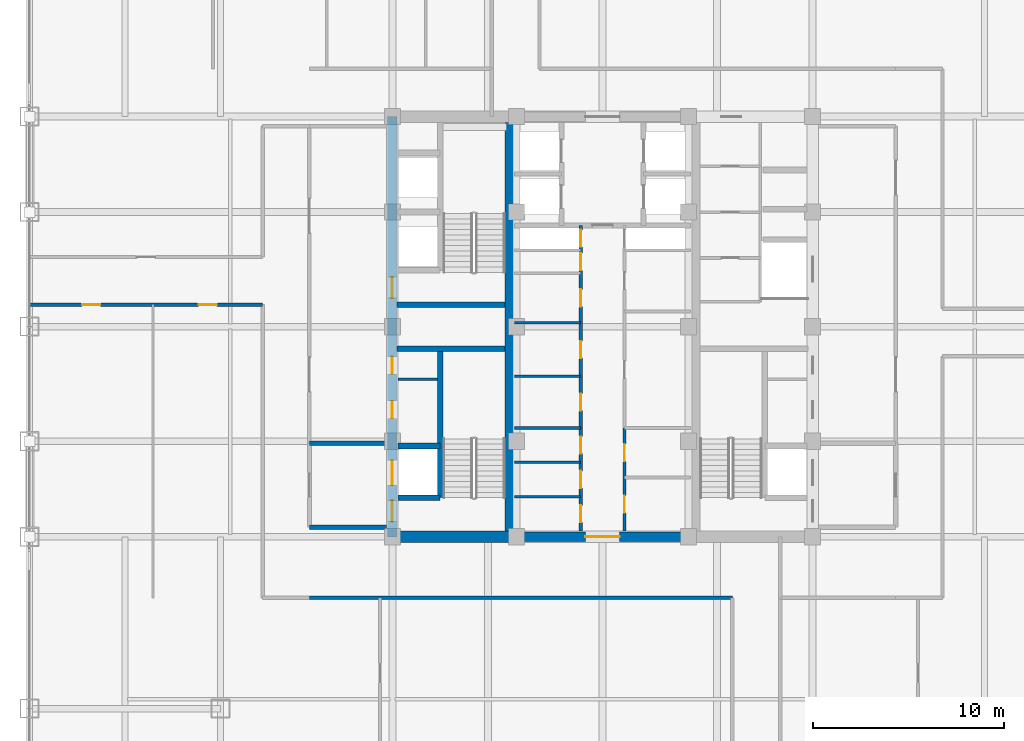
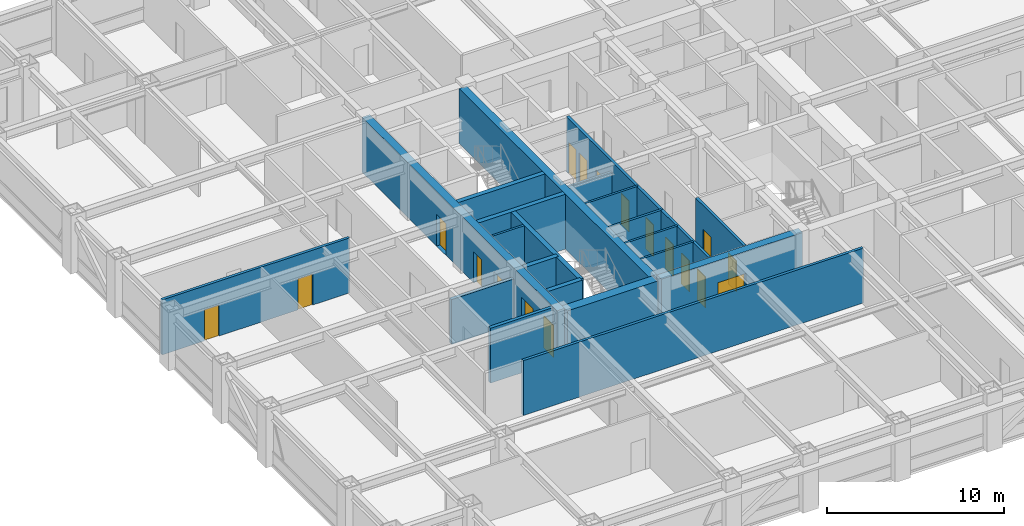
# One storey, part 20 of 29: 22 walls, 18 doors, 18 openings.
"""IFC4 building model written with IfcOpenShell, lengths in metres."""

import ifcopenshell
import ifcopenshell.guid

model = None  # the IFC model being written
_history = None  # IfcOwnerHistory: only IFC2X3 demands one
_inside = {}  # id of a spatial element -> (the spatial element, [elements in it])
_under = {}  # id of a project, library or spatial element -> (it, [spatial elements below it])
_declared = {}  # id of a project -> (the project, [libraries it declares])
_typed = {}  # id of a type object -> (the type object, [elements of that type])
_made_of = {}  # id of a material, layer set ... -> (it, [elements and type objects made of it])


def new_model(schema):
    """Start an empty IFC model of exactly this schema.

    Asked for "IFC4X3", IfcOpenShell would pick the latest addendum, in which some entities
    have other attributes; the version numbers below select the first issue.
    IFC2X3 requires an IfcOwnerHistory on every rooted entity: one is made here for all.
    """
    global model, _history
    if schema == "IFC4X3":
        model = ifcopenshell.file(schema_version=(4, 3, 0, 0))
    else:
        model = ifcopenshell.file(schema=schema)
    _inside.clear()
    _under.clear()
    _declared.clear()
    _typed.clear()
    _made_of.clear()
    _history = None
    if model.schema == "IFC2X3":
        org = make("IfcOrganization", Name="unknown")
        user = make(
            "IfcPersonAndOrganization",
            ThePerson=make("IfcPerson", FamilyName="unknown"),
            TheOrganization=org,
        )
        app = make(
            "IfcApplication",
            ApplicationDeveloper=org,
            Version="unknown",
            ApplicationFullName="unknown",
            ApplicationIdentifier="unknown",
        )
        _history = make(
            "IfcOwnerHistory",
            OwningUser=user,
            OwningApplication=app,
            ChangeAction="ADDED",
            CreationDate=0,
        )
    return model


def make(cls, **values):
    """One entity of the class cls with the attributes given. An attribute that is None is left unset."""
    return model.create_entity(
        cls, **{name: value for name, value in values.items() if value is not None}
    )


def rooted(cls, **values):
    """An entity with a GlobalId (a new one), such as an element, a storey or a relation."""
    return make(cls, GlobalId=ifcopenshell.guid.new(), OwnerHistory=_history, **values)


def si_unit(unit_type, name, prefix=None):
    """IfcSIUnit, for example si_unit("LENGTHUNIT", "METRE", prefix="MILLI")."""
    return make("IfcSIUnit", UnitType=unit_type, Prefix=prefix, Name=name)


def assignment(units):
    """IfcUnitAssignment: the units of a project."""
    return None if units is None else make("IfcUnitAssignment", Units=units)


def point(xyz):
    """IfcCartesianPoint."""
    return None if xyz is None else make("IfcCartesianPoint", Coordinates=xyz)


def direction(xyz):
    """IfcDirection."""
    return None if xyz is None else make("IfcDirection", DirectionRatios=xyz)


def frame(location, z_axis=None, x_axis=None):
    """IfcAxis2Placement3D, a coordinate frame: its origin and axes. An axis left out is left unset."""
    return make(
        "IfcAxis2Placement3D",
        Location=point(location),
        Axis=direction(z_axis),
        RefDirection=direction(x_axis),
    )


def frame_2d(location, x_axis=None):
    """IfcAxis2Placement2D, a coordinate frame in the plane: its origin and x axis."""
    return make(
        "IfcAxis2Placement2D", Location=point(location), RefDirection=direction(x_axis)
    )


def origin():
    """The frame at (0, 0, 0) with its axes left unset."""
    return frame((0.0, 0.0, 0.0))


def place(relative_to, where):
    """IfcLocalPlacement: puts the frame where relative to a parent placement (None: the world)."""
    return make(
        "IfcLocalPlacement", PlacementRelTo=relative_to, RelativePlacement=where
    )


def context(
    kind, dimensions, precision=None, world=None, true_north=None, identifier=None
):
    """IfcGeometricRepresentationContext, for example the 3D "Model" context."""
    return make(
        "IfcGeometricRepresentationContext",
        ContextIdentifier=identifier,
        ContextType=kind,
        CoordinateSpaceDimension=dimensions,
        Precision=precision,
        WorldCoordinateSystem=world,
        TrueNorth=true_north,
    )


def subcontext(parent, identifier, kind, view, scale=None):
    """IfcGeometricRepresentationSubContext, for example "Body" below "Model"."""
    return make(
        "IfcGeometricRepresentationSubContext",
        ContextIdentifier=identifier,
        ContextType=kind,
        ParentContext=parent,
        TargetScale=scale,
        TargetView=view,
    )


def project(units=None, contexts=None):
    """IfcProject with its units and contexts."""
    return rooted(
        "IfcProject",
        Name="project",
        RepresentationContexts=contexts,
        UnitsInContext=assignment(units),
    )


def spatial(cls, under=None, at=None, **own):
    """A site, building, storey or space (cls), placed at a placement, below another one or the project."""
    s = rooted(cls, ObjectPlacement=at, **own)
    if under is not None:
        _under.setdefault(under.id(), (under, []))[1].append(s)
    return s


def profile(cls, at=None, kind="AREA", **sizes):
    """A parametric profile (cls). Its sizes go by their IFC names, for example OverallWidth=200.0."""
    return make(cls, ProfileType=kind, Position=at, **sizes)


def rectangle(**sizes):
    """IfcRectangleProfileDef."""
    return profile("IfcRectangleProfileDef", **sizes)


def extrude(swept, where, along, depth):
    """IfcExtrudedAreaSolid: the profile swept, set in the frame where, extruded along a direction by depth."""
    return make(
        "IfcExtrudedAreaSolid",
        SweptArea=swept,
        Position=where,
        ExtrudedDirection=direction(along),
        Depth=depth,
    )


def shape(context_of_items, identifier, shape_type, items):
    """IfcShapeRepresentation: the items that make up one representation, for example the "Body"."""
    return make(
        "IfcShapeRepresentation",
        ContextOfItems=context_of_items,
        RepresentationIdentifier=identifier,
        RepresentationType=shape_type,
        Items=items,
    )


def source(mapping_origin, context_of_items, identifier, shape_type, items):
    """IfcRepresentationMap: a shape defined once, which mapped items show again and again."""
    return make(
        "IfcRepresentationMap",
        MappingOrigin=mapping_origin,
        MappedRepresentation=shape(context_of_items, identifier, shape_type, items),
    )


def transform(
    local_origin,
    x_axis=None,
    y_axis=None,
    z_axis=None,
    scale=None,
    scale2=None,
    scale3=None,
    uniform=True,
):
    """IfcCartesianTransformationOperator3D, or its non-uniform kind. x_axis, y_axis, z_axis: its Axis1, 2, 3."""
    if uniform:
        return make(
            "IfcCartesianTransformationOperator3D",
            Axis1=direction(x_axis),
            Axis2=direction(y_axis),
            LocalOrigin=point(local_origin),
            Scale=scale,
            Axis3=direction(z_axis),
        )
    return make(
        "IfcCartesianTransformationOperator3DnonUniform",
        Axis1=direction(x_axis),
        Axis2=direction(y_axis),
        LocalOrigin=point(local_origin),
        Scale=scale,
        Axis3=direction(z_axis),
        Scale2=scale2,
        Scale3=scale3,
    )


def mapped(mapping_source, mapping_target):
    """IfcMappedItem: shows the shape of a source again, moved by a transform."""
    return make(
        "IfcMappedItem", MappingSource=mapping_source, MappingTarget=mapping_target
    )


def material(Name=None, Category=None):
    """IfcMaterial."""
    return make("IfcMaterial", Name=Name, Category=Category)


def layer(
    of_material, thickness, ventilated=None, Name=None, Category=None, Priority=None
):
    """IfcMaterialLayer: one layer of a wall or slab, of a material (None: an air gap)."""
    return make(
        "IfcMaterialLayer",
        Material=of_material,
        LayerThickness=thickness,
        IsVentilated=ventilated,
        Name=Name,
        Category=Category,
        Priority=Priority,
    )


def layer_set(layers, Name=None):
    """IfcMaterialLayerSet."""
    return make("IfcMaterialLayerSet", MaterialLayers=layers, LayerSetName=Name)


def made_of(thing, what):
    """Note that an element or type object is made of a material, layer set ...; save() writes the relation."""
    if what is not None:
        _made_of.setdefault(what.id(), (what, []))[1].append(thing)
    return thing


def type_object(cls, material=None, **own):
    """A type object (cls), such as IfcWallType, which elements share."""
    return made_of(rooted(cls, **own), material)


def element(
    cls,
    number,
    at=None,
    inside=None,
    cuts=None,
    type_object=None,
    material=None,
    context=None,
    identifier="Body",
    shape_type=None,
    held_by="IfcProductDefinitionShape",
    body=None,
    shapes=None,
    **own,
):
    """One element of the class cls, such as IfcWall. Its Tag is "e" and its number.

    at: its placement. inside: the storey or other place that contains it. cuts: it is an
    opening in that element (IfcRelVoidsElement). A single representation is given by context,
    identifier, shape_type and body (its items); several are given by shapes. held_by: the class
    of the entity that holds the representations. save() writes the other relations.
    """
    e = rooted(cls, Tag="e%d" % number, ObjectPlacement=at, **own)
    if body is not None:
        shapes = [shape(context, identifier, shape_type, body)]
    if shapes is not None:
        e.Representation = make(held_by, Representations=shapes)
    if inside is not None:
        _inside.setdefault(inside.id(), (inside, []))[1].append(e)
    if cuts is not None:
        rooted(
            "IfcRelVoidsElement", RelatingBuildingElement=cuts, RelatedOpeningElement=e
        )
    if type_object is not None:
        _typed.setdefault(type_object.id(), (type_object, []))[1].append(e)
    return made_of(e, material)


def fill(opening, filler):
    """IfcRelFillsElement: the door or window that sits in an opening."""
    return rooted(
        "IfcRelFillsElement",
        RelatingOpeningElement=opening,
        RelatedBuildingElement=filler,
    )


def aggregate(whole, parts):
    """IfcRelAggregates: a whole, such as a stair, and the parts it consists of."""
    return rooted("IfcRelAggregates", RelatingObject=whole, RelatedObjects=parts)


def save(model, path):
    """Write the relations noted so far, then the file.

    IfcRelAggregates (storeys below a building ...), IfcRelContainedInSpatialStructure (elements
    in a storey), IfcRelDefinesByType, IfcRelAssociatesMaterial and IfcRelDeclares: one each for
    every whole, place, type object, material and project.
    """
    for whole, parts in _under.values():
        aggregate(whole, parts)
    for where, things in _inside.values():
        rooted(
            "IfcRelContainedInSpatialStructure",
            RelatedElements=things,
            RelatingStructure=where,
        )
    for kind, things in _typed.values():
        rooted("IfcRelDefinesByType", RelatedObjects=things, RelatingType=kind)
    for what, things in _made_of.values():
        rooted("IfcRelAssociatesMaterial", RelatedObjects=things, RelatingMaterial=what)
    for by, libraries in _declared.values():
        rooted("IfcRelDeclares", RelatingContext=by, RelatedDefinitions=libraries)
    model.write(path)


model = new_model("IFC4")

# Units and contexts
model_context = context("Model", 3, precision=1e-05, world=origin(), true_north=direction((0.0, 1.0)))
body_context = subcontext(model_context, "Body", "Model", "MODEL_VIEW")
ifc_project = project(units=[si_unit("LENGTHUNIT", "METRE"), si_unit("AREAUNIT", "SQUARE_METRE"), si_unit("VOLUMEUNIT", "CUBIC_METRE"), si_unit("PLANEANGLEUNIT", "RADIAN"), si_unit("MASSUNIT", "GRAM", prefix="KILO")], contexts=[model_context])

# Site, building, storey
site_placement = place(None, origin())
site = spatial("IfcSite", under=ifc_project, at=site_placement, CompositionType="ELEMENT")
building_placement = place(site_placement, origin())
building = spatial("IfcBuilding", under=site, at=building_placement, Name="Khorayat Bourse Tower", CompositionType="ELEMENT")
storey_placement = place(building_placement, frame((0.0, 0.0, 239.10009765625)))
storey = spatial("IfcBuildingStorey", under=building, at=storey_placement, Name="L56", CompositionType="ELEMENT", Elevation=239.10009765625)

# Wall
ifc_material_1 = material(Name="Concrete C52/65", Category="concrete")
ifc_layer_1 = layer(ifc_material_1, 0.5)
ifc_layer_set_1 = layer_set([ifc_layer_1], Name="Concrete C52/65")
wall_type_1 = type_object("IfcWallType", Name="WAL-CORE-500", PredefinedType="SHEAR", material=ifc_layer_set_1)
shared_shape_1 = source(origin(), body_context, "Body", "SweptSolid", [
    extrude(rectangle(XDim=21.39990234375, YDim=0.5, at=frame_2d((10.699951171875, 0.0))), origin(), (0.0, 0.0, 1.0), 3.77978515625),
])
wall_1_placement = place(storey_placement, frame((-4.85009765625, -10.699951171875, 0.0), z_axis=(0.0, 0.0, 1.0), x_axis=(0.0, 1.0, 0.0)))
element("IfcWall", 1, at=wall_1_placement, inside=storey, type_object=wall_type_1, Name="L56 Core Shear Wall PIER-W", PredefinedType="SHEAR", context=body_context, shape_type="MappedRepresentation", body=[
    mapped(shared_shape_1, transform((0.0, 0.0, 0.0), scale=1.0)),
])

# Wall, opening, door
shared_shape_2 = source(origin(), body_context, "Body", "SweptSolid", [
    extrude(rectangle(XDim=9.2001953125, YDim=0.5, at=frame_2d((4.60009765625, 0.0))), origin(), (0.0, 0.0, 1.0), 3.77978515625),
])
wall_2_placement = place(storey_placement, frame((-4.60009765625, -11.0, 0.0), z_axis=(0.0, 0.0, 1.0), x_axis=(1.0, 0.0, 0.0)))
wall_2 = element("IfcWall", 2, at=wall_2_placement, inside=storey, type_object=wall_type_1, Name="L56 Core Shear Wall CORE-S", PredefinedType="SHEAR", context=body_context, shape_type="MappedRepresentation", body=[
    mapped(shared_shape_2, transform((0.0, 0.0, 0.0), scale=1.0)),
])
shared_shape_3 = source(origin(), body_context, "Body", "SweptSolid", [
    extrude(rectangle(XDim=1.800048828125, YDim=2.25, at=frame_2d((0.89990234375, 1.125))), frame((0.0, 0.260009765625, 0.0), z_axis=(0.0, -1.0, 0.0), x_axis=(1.0, 0.0, 0.0)), (0.0, 0.0, 1.0), 0.52001953125),
])
opening_1_placement = place(wall_2_placement, frame((3.699951171875, 0.0, 0.0)))
opening_1 = element("IfcOpeningElement", 3, at=opening_1_placement, cuts=wall_2, Name="Opening DI-03", PredefinedType="OPENING", context=body_context, shape_type="MappedRepresentation", body=[
    mapped(shared_shape_3, transform((0.0, 0.0, 0.0), scale=1.0)),
])
ifc_material_2 = material(Name="Fire-rated hardwood vision-panel double leaf", Category="wood")
door_type_1 = type_object("IfcDoorType", Name="DR-INT-CORR-1800", OperationType="NOTDEFINED", PredefinedType="DOOR", material=ifc_material_2)
shared_shape_4 = source(origin(), body_context, "Body", "SweptSolid", [
    extrude(rectangle(XDim=1.800048828125, YDim=2.25, at=frame_2d((0.89990234375, 1.125))), frame((0.0, 0.02490234375, 0.0), z_axis=(0.0, -1.0, 0.0), x_axis=(1.0, 0.0, 0.0)), (0.0, 0.0, 1.0), 0.050048828125),
])
door_1_placement = place(opening_1_placement, origin())
door_1 = element("IfcDoor", 4, at=door_1_placement, inside=storey, type_object=door_type_1, Name="L56 Central Core South Passage Door", OperationType="SINGLE_SWING_LEFT", OverallHeight=2.25, OverallWidth=1.800048828125, PredefinedType="DOOR", context=body_context, shape_type="MappedRepresentation", body=[
    mapped(shared_shape_4, transform((0.0, 0.0, 0.0), scale=1.0)),
])
fill(opening_1, door_1)

# Wall, openings, doors
shared_shape_5 = source(origin(), body_context, "Body", "SweptSolid", [
    extrude(rectangle(XDim=22.0, YDim=0.5, at=frame_2d((11.0, 0.0))), origin(), (0.0, 0.0, 1.0), 3.77978515625),
])
wall_3_placement = place(storey_placement, frame((-11.0, -11.0, 0.0), z_axis=(0.0, 0.0, 1.0), x_axis=(0.0, 1.0, 0.0)))
wall_3 = element("IfcWall", 5, at=wall_3_placement, inside=storey, type_object=wall_type_1, Name="L56 Core Shear Wall CORE-W", PredefinedType="SHEAR", context=body_context, shape_type="MappedRepresentation", body=[
    mapped(shared_shape_5, transform((0.0, 0.0, 0.0), scale=1.0)),
])
shared_shape_6 = source(origin(), body_context, "Body", "SweptSolid", [
    extrude(rectangle(XDim=1.10009765625, YDim=2.199951171875, at=frame_2d((0.550048828125, 1.10009765625))), frame((0.0, 0.260009765625, 0.0), z_axis=(0.0, -1.0, 0.0), x_axis=(1.0, 0.0, 0.0)), (0.0, 0.0, 1.0), 0.52001953125),
])
opening_2_placement = place(wall_3_placement, frame((0.800048828125, 0.0, 0.0)))
opening_2 = element("IfcOpeningElement", 6, at=opening_2_placement, cuts=wall_3, Name="Opening DI-01", PredefinedType="OPENING", context=body_context, shape_type="MappedRepresentation", body=[
    mapped(shared_shape_6, transform((0.0, 0.0, 0.0), scale=1.0)),
])
opening_3_placement = place(wall_3_placement, frame((12.5, 0.0, 0.0)))
opening_3 = element("IfcOpeningElement", 7, at=opening_3_placement, cuts=wall_3, Name="Opening DI-01", PredefinedType="OPENING", context=body_context, shape_type="MappedRepresentation", body=[
    mapped(shared_shape_6, transform((0.0, 0.0, 0.0), scale=1.0)),
])
shared_shape_7 = source(origin(), body_context, "Body", "SweptSolid", [
    extrude(rectangle(XDim=0.89990234375, YDim=2.14990234375, at=frame_2d((0.449951171875, 1.074951171875))), frame((0.0, 0.260009765625, 0.0), z_axis=(0.0, -1.0, 0.0), x_axis=(1.0, 0.0, 0.0)), (0.0, 0.0, 1.0), 0.52001953125),
])
opening_4_placement = place(wall_3_placement, frame((6.199951171875, 0.0, 0.0)))
opening_4 = element("IfcOpeningElement", 8, at=opening_4_placement, cuts=wall_3, Name="Opening DI-06", PredefinedType="OPENING", context=body_context, shape_type="MappedRepresentation", body=[
    mapped(shared_shape_7, transform((0.0, 0.0, 0.0), scale=1.0)),
])
opening_5_placement = place(wall_3_placement, frame((8.52490234375, 0.0, 0.0)))
opening_5 = element("IfcOpeningElement", 9, at=opening_5_placement, cuts=wall_3, Name="Opening DI-06", PredefinedType="OPENING", context=body_context, shape_type="MappedRepresentation", body=[
    mapped(shared_shape_7, transform((0.0, 0.0, 0.0), scale=1.0)),
])
shared_shape_8 = source(origin(), body_context, "Body", "SweptSolid", [
    extrude(rectangle(XDim=1.300048828125, YDim=2.300048828125, at=frame_2d((0.64990234375, 1.14990234375))), frame((0.0, 0.260009765625, 0.0), z_axis=(0.0, -1.0, 0.0), x_axis=(1.0, 0.0, 0.0)), (0.0, 0.0, 1.0), 0.52001953125),
])
opening_6_placement = place(wall_3_placement, frame((2.699951171875, 0.0, 0.0)))
opening_6 = element("IfcOpeningElement", 10, at=opening_6_placement, cuts=wall_3, Name="Opening LD-02", PredefinedType="OPENING", context=body_context, shape_type="MappedRepresentation", body=[
    mapped(shared_shape_8, transform((0.0, 0.0, 0.0), scale=1.0)),
])
ifc_material_3 = material(Name="Fire-rated steel acoustic leaf", Category="steel")
door_type_2 = type_object("IfcDoorType", Name="DR-INT-STAIR-1100", OperationType="NOTDEFINED", PredefinedType="DOOR", material=ifc_material_3)
shared_shape_9 = source(origin(), body_context, "Body", "SweptSolid", [
    extrude(rectangle(XDim=1.10009765625, YDim=2.199951171875, at=frame_2d((0.550048828125, 1.10009765625))), frame((0.0, 0.02490234375, 0.0), z_axis=(0.0, -1.0, 0.0), x_axis=(1.0, 0.0, 0.0)), (0.0, 0.0, 1.0), 0.050048828125),
])
door_2_placement = place(opening_2_placement, origin())
door_2 = element("IfcDoor", 11, at=door_2_placement, inside=storey, type_object=door_type_2, Name="L56 Exit Stair 1 Door", OperationType="SINGLE_SWING_RIGHT", OverallHeight=2.199951171875, OverallWidth=1.10009765625, PredefinedType="DOOR", context=body_context, shape_type="MappedRepresentation", body=[
    mapped(shared_shape_9, transform((0.0, 0.0, 0.0), scale=1.0)),
])
fill(opening_2, door_2)
door_3_placement = place(opening_3_placement, origin())
door_3 = element("IfcDoor", 12, at=door_3_placement, inside=storey, type_object=door_type_2, Name="L56 Exit Stair 2 Door", OperationType="SINGLE_SWING_RIGHT", OverallHeight=2.199951171875, OverallWidth=1.10009765625, PredefinedType="DOOR", context=body_context, shape_type="MappedRepresentation", body=[
    mapped(shared_shape_9, transform((0.0, 0.0, 0.0), scale=1.0)),
])
fill(opening_3, door_3)
ifc_material_4 = material(Name="Moisture-resistant laminate washroom door")
door_type_3 = type_object("IfcDoorType", Name="DR-INT-WC-900", OperationType="NOTDEFINED", PredefinedType="DOOR", material=ifc_material_4)
shared_shape_10 = source(origin(), body_context, "Body", "SweptSolid", [
    extrude(rectangle(XDim=0.89990234375, YDim=2.14990234375, at=frame_2d((0.449951171875, 1.074951171875))), frame((0.0, 0.02490234375, 0.0), z_axis=(0.0, -1.0, 0.0), x_axis=(1.0, 0.0, 0.0)), (0.0, 0.0, 1.0), 0.050048828125),
])
door_4_placement = place(opening_4_placement, origin())
door_4 = element("IfcDoor", 13, at=door_4_placement, inside=storey, type_object=door_type_3, Name="L56 Switch Closet Door", OperationType="SINGLE_SWING_RIGHT", OverallHeight=2.14990234375, OverallWidth=0.89990234375, PredefinedType="DOOR", context=body_context, shape_type="MappedRepresentation", body=[
    mapped(shared_shape_10, transform((0.0, 0.0, 0.0), scale=1.0)),
])
fill(opening_4, door_4)
door_5_placement = place(opening_5_placement, origin())
door_5 = element("IfcDoor", 14, at=door_5_placement, inside=storey, type_object=door_type_3, Name="L56 Janitor Store Door", OperationType="SINGLE_SWING_LEFT", OverallHeight=2.14990234375, OverallWidth=0.89990234375, PredefinedType="DOOR", context=body_context, shape_type="MappedRepresentation", body=[
    mapped(shared_shape_10, transform((0.0, 0.0, 0.0), scale=1.0)),
])
fill(opening_5, door_5)
ifc_material_5 = material(Name="Fire-rated stainless-steel sliding landing door", Category="steel")
door_type_4 = type_object("IfcDoorType", Name="DR-LIFT-FF-1300", OperationType="NOTDEFINED", PredefinedType="DOOR", material=ifc_material_5)
shared_shape_11 = source(origin(), body_context, "Body", "SweptSolid", [
    extrude(rectangle(XDim=1.300048828125, YDim=2.300048828125, at=frame_2d((0.64990234375, 1.14990234375))), frame((0.0, 0.02490234375, 0.0), z_axis=(0.0, -1.0, 0.0), x_axis=(1.0, 0.0, 0.0)), (0.0, 0.0, 1.0), 0.050048828125),
])
door_6_placement = place(opening_6_placement, origin())
door_6 = element("IfcDoor", 15, at=door_6_placement, inside=storey, type_object=door_type_4, Name="L56 Lift FFL-01 Sliding Landing Door", OperationType="SLIDING_TO_LEFT", OverallHeight=2.300048828125, OverallWidth=1.300048828125, PredefinedType="DOOR", context=body_context, shape_type="MappedRepresentation", body=[
    mapped(shared_shape_11, transform((0.0, 0.0, 0.0), scale=1.0)),
])
fill(opening_6, door_6)

# Walls
ifc_material_6 = material(Name="Concrete C60/75", Category="concrete")
ifc_layer_2 = layer(ifc_material_6, 0.60009765625)
ifc_layer_set_2 = layer_set([ifc_layer_2], Name="Concrete C60/75")
wall_type_2 = type_object("IfcWallType", Name="WAL-CORE-600", PredefinedType="SHEAR", material=ifc_layer_set_2)
shared_shape_12 = source(origin(), body_context, "Body", "SweptSolid", [
    extrude(rectangle(XDim=5.89990234375, YDim=0.60009765625, at=frame_2d((2.949951171875, 0.0))), origin(), (0.0, 0.0, 1.0), 3.77978515625),
])
wall_4_placement = place(storey_placement, frame((-10.75, -11.0, 0.0), z_axis=(0.0, 0.0, 1.0), x_axis=(1.0, 0.0, 0.0)))
element("IfcWall", 16, at=wall_4_placement, inside=storey, type_object=wall_type_2, Name="L56 Core Shear Wall PIER-WS", PredefinedType="SHEAR", context=body_context, shape_type="MappedRepresentation", body=[
    mapped(shared_shape_12, transform((0.0, 0.0, 0.0), scale=1.0)),
])
ifc_material_7 = material(Name="Concrete C50/60", Category="concrete")
ifc_layer_3 = layer(ifc_material_7, 0.300048828125)
ifc_layer_set_3 = layer_set([ifc_layer_3], Name="Concrete C50/60")
wall_type_3 = type_object("IfcWallType", Name="WAL-SHAFT-300", PredefinedType="SHEAR", material=ifc_layer_set_3)
shared_shape_13 = source(origin(), body_context, "Body", "SweptSolid", [
    extrude(rectangle(XDim=5.64990234375, YDim=0.300048828125, at=frame_2d((2.824951171875, 0.0))), origin(), (0.0, 0.0, 1.0), 3.77978515625),
])
for number, where, z_axis, x_axis, name in (
    (17, (-10.75, -1.14990234375, 0.0), (0.0, 0.0, 1.0), (1.0, 0.0, 0.0), "L56 Core Shear Wall ST1-DIV"),
    (18, (-10.75, 1.14990234375, 0.0), (0.0, 0.0, 1.0), (1.0, 0.0, 0.0), "L56 Core Shear Wall ST2-DIV"),
):
    element("IfcWall", number, at=place(storey_placement, frame(where, z_axis=z_axis, x_axis=x_axis)), inside=storey, type_object=wall_type_3, Name=name, PredefinedType="SHEAR", context=body_context, shape_type="MappedRepresentation", body=[
        mapped(shared_shape_13, transform((0.0, 0.0, 0.0), scale=1.0)),
    ])
ifc_material_8 = material(Name="Aerated concrete blockwork", Category="masonry")
ifc_layer_4 = layer(ifc_material_8, 0.219970703125)
ifc_layer_set_4 = layer_set([ifc_layer_4], Name="Aerated concrete blockwork")
wall_type_4 = type_object("IfcWallType", Name="WAL-PART-FF-220", PredefinedType="PARTITIONING", material=ifc_layer_set_4)
shared_shape_14 = source(origin(), body_context, "Body", "SweptSolid", [
    extrude(rectangle(XDim=4.050048828125, YDim=0.219970703125, at=frame_2d((2.02490234375, 0.0))), origin(), (0.0, 0.0, 1.0), 3.0849609375),
])
wall_5_placement = place(storey_placement, frame((-15.35009765625, -6.10009765625, 0.0), z_axis=(0.0, 0.0, 1.0), x_axis=(1.0, 0.0, 0.0)))
element("IfcWall", 19, at=wall_5_placement, inside=storey, type_object=wall_type_4, Name="L56 Partition WAL-L56-FFLW-N", PredefinedType="PARTITIONING", context=body_context, shape_type="MappedRepresentation", body=[
    mapped(shared_shape_14, transform((0.0, 0.0, 0.0), scale=1.0)),
])
shared_shape_15 = source(origin(), body_context, "Body", "SweptSolid", [
    extrude(rectangle(XDim=7.800048828125, YDim=0.300048828125, at=frame_2d((3.89990234375, 0.0))), origin(), (0.0, 0.0, 1.0), 3.77978515625),
])
wall_6_placement = place(storey_placement, frame((-8.5, -8.949951171875, 0.0), z_axis=(0.0, 0.0, 1.0), x_axis=(0.0, 1.0, 0.0)))
element("IfcWall", 20, at=wall_6_placement, inside=storey, type_object=wall_type_3, Name="L56 Partition WAL-L56-WPIER-SP", PredefinedType="SHEAR", context=body_context, shape_type="MappedRepresentation", body=[
    mapped(shared_shape_15, transform((0.0, 0.0, 0.0), scale=1.0)),
])
shared_shape_16 = source(origin(), body_context, "Body", "SweptSolid", [
    extrude(rectangle(XDim=2.199951171875, YDim=0.300048828125, at=frame_2d((1.10009765625, 0.0))), origin(), (0.0, 0.0, 1.0), 3.77978515625),
])
for number, where, z_axis, x_axis, name in (
    (21, (-10.699951171875, -8.949951171875, 0.0), (0.0, 0.0, 1.0), (1.0, 0.0, 0.0), "L56 Partition WAL-L56-WPIER-FF1S"),
    (22, (-10.699951171875, -6.25, 0.0), (0.0, 0.0, 1.0), (1.0, 0.0, 0.0), "L56 Partition WAL-L56-WPIER-FF1N"),
):
    element("IfcWall", number, at=place(storey_placement, frame(where, z_axis=z_axis, x_axis=x_axis)), inside=storey, type_object=wall_type_3, Name=name, PredefinedType="SHEAR", context=body_context, shape_type="MappedRepresentation", body=[
        mapped(shared_shape_16, transform((0.0, 0.0, 0.0), scale=1.0)),
    ])
ifc_material_9 = material(Name="Gypsum plasterboard twin-frame partition")
ifc_layer_5 = layer(ifc_material_9, 0.14990234375)
ifc_layer_set_5 = layer_set([ifc_layer_5], Name="Gypsum plasterboard twin-frame partition")
wall_type_5 = type_object("IfcWallType", Name="WAL-PART-SUITE-150", PredefinedType="PARTITIONING", material=ifc_layer_set_5)
shared_shape_17 = source(origin(), body_context, "Body", "SweptSolid", [
    extrude(rectangle(XDim=2.050048828125, YDim=0.14990234375, at=frame_2d((1.02490234375, 0.0))), origin(), (0.0, 0.0, 1.0), 3.77978515625),
])
wall_7_placement = place(storey_placement, frame((-10.699951171875, -2.75, 0.0), z_axis=(0.0, 0.0, 1.0), x_axis=(1.0, 0.0, 0.0)))
element("IfcWall", 23, at=wall_7_placement, inside=storey, type_object=wall_type_5, Name="L56 Partition WAL-L56-WSRV-D1", PredefinedType="PARTITIONING", context=body_context, shape_type="MappedRepresentation", body=[
    mapped(shared_shape_17, transform((0.0, 0.0, 0.0), scale=1.0)),
])
shared_shape_18 = source(origin(), body_context, "Body", "SweptSolid", [
    extrude(rectangle(XDim=4.050048828125, YDim=0.219970703125, at=frame_2d((2.02490234375, 0.0))), origin(), (0.0, 0.0, 1.0), 3.77978515625),
])
wall_8_placement = place(storey_placement, frame((-15.35009765625, -10.5, 0.0), z_axis=(0.0, 0.0, 1.0), x_axis=(1.0, 0.0, 0.0)))
element("IfcWall", 24, at=wall_8_placement, inside=storey, type_object=wall_type_4, Name="L56 Partition WAL-L56-FFLW-S", PredefinedType="PARTITIONING", context=body_context, shape_type="MappedRepresentation", body=[
    mapped(shared_shape_18, transform((0.0, 0.0, 0.0), scale=1.0)),
])
shared_shape_19 = source(origin(), body_context, "Body", "SweptSolid", [
    extrude(rectangle(XDim=3.4501953125, YDim=0.14990234375, at=frame_2d((1.72509765625, 0.0))), origin(), (0.0, 0.0, 1.0), 3.77978515625),
])
wall_9_placement = place(storey_placement, frame((-4.60009765625, -5.300048828125, 0.0), z_axis=(0.0, 0.0, 1.0), x_axis=(1.0, 0.0, 0.0)))
element("IfcWall", 25, at=wall_9_placement, inside=storey, type_object=wall_type_5, Name="L56 Partition WAL-L56-FB1-NW", PredefinedType="PARTITIONING", context=body_context, shape_type="MappedRepresentation", body=[
    mapped(shared_shape_19, transform((0.0, 0.0, 0.0), scale=1.0)),
])
ifc_material_10 = material(Name="Moisture-resistant masonry partition", Category="masonry")
ifc_layer_6 = layer(ifc_material_10, 0.139892578125)
ifc_layer_set_6 = layer_set([ifc_layer_6], Name="Moisture-resistant masonry partition")
wall_type_6 = type_object("IfcWallType", Name="WAL-PART-WET-140", PredefinedType="PARTITIONING", material=ifc_layer_set_6)
shared_shape_20 = source(origin(), body_context, "Body", "SweptSolid", [
    extrude(rectangle(XDim=3.4501953125, YDim=0.139892578125, at=frame_2d((1.72509765625, 0.0))), origin(), (0.0, 0.0, 1.0), 3.77978515625),
])
for number, where, z_axis, x_axis, name in (
    (26, (-4.60009765625, -8.89990234375, 0.0), (0.0, 0.0, 1.0), (1.0, 0.0, 0.0), "L56 Partition WAL-L56-FB1W-D1"),
    (27, (-4.60009765625, -7.10009765625, 0.0), (0.0, 0.0, 1.0), (1.0, 0.0, 0.0), "L56 Partition WAL-L56-FB1W-D2"),
    (28, (-4.60009765625, -2.60009765625, 0.0), (0.0, 0.0, 1.0), (1.0, 0.0, 0.0), "L56 Partition WAL-L56-CMW-D1"),
):
    element("IfcWall", number, at=place(storey_placement, frame(where, z_axis=z_axis, x_axis=x_axis)), inside=storey, type_object=wall_type_6, Name=name, PredefinedType="PARTITIONING", context=body_context, shape_type="MappedRepresentation", body=[
        mapped(shared_shape_20, transform((0.0, 0.0, 0.0), scale=1.0)),
    ])

# Wall, openings, doors
ifc_material_11 = material(Name="Gypsum plasterboard acoustic stud wall")
ifc_layer_7 = layer(ifc_material_11, 0.179931640625)
ifc_layer_set_7 = layer_set([ifc_layer_7], Name="Gypsum plasterboard acoustic stud wall")
wall_type_7 = type_object("IfcWallType", Name="WAL-PART-CORR-180", PredefinedType="PARTITIONING", material=ifc_layer_set_7)
shared_shape_21 = source(origin(), body_context, "Body", "SweptSolid", [
    extrude(rectangle(XDim=5.39990234375, YDim=0.179931640625, at=frame_2d((2.699951171875, 0.0))), origin(), (0.0, 0.0, 1.0), 3.77978515625),
])
wall_10_placement = place(storey_placement, frame((-1.14990234375, -10.699951171875, 0.0), z_axis=(0.0, 0.0, 1.0), x_axis=(0.0, 1.0, 0.0)))
wall_10 = element("IfcWall", 29, at=wall_10_placement, inside=storey, type_object=wall_type_7, Name="L56 Partition WAL-L56-FB1W-L", PredefinedType="PARTITIONING", context=body_context, shape_type="MappedRepresentation", body=[
    mapped(shared_shape_21, transform((0.0, 0.0, 0.0), scale=1.0)),
])
shared_shape_22 = source(origin(), body_context, "Body", "SweptSolid", [
    extrude(rectangle(XDim=0.89990234375, YDim=2.14990234375, at=frame_2d((0.449951171875, 1.074951171875))), frame((0.0, 0.099853515625, 0.0), z_axis=(0.0, -1.0, 0.0), x_axis=(1.0, 0.0, 0.0)), (0.0, 0.0, 1.0), 0.199951171875),
])
opening_7_placement = place(wall_10_placement, frame((0.449951171875, 0.0, 0.0)))
opening_7 = element("IfcOpeningElement", 30, at=opening_7_placement, cuts=wall_10, Name="Opening DI-06", PredefinedType="OPENING", context=body_context, shape_type="MappedRepresentation", body=[
    mapped(shared_shape_22, transform((0.0, 0.0, 0.0), scale=1.0)),
])
opening_8_placement = place(wall_10_placement, frame((2.25, 0.0, 0.0)))
opening_8 = element("IfcOpeningElement", 31, at=opening_8_placement, cuts=wall_10, Name="Opening DI-06", PredefinedType="OPENING", context=body_context, shape_type="MappedRepresentation", body=[
    mapped(shared_shape_22, transform((0.0, 0.0, 0.0), scale=1.0)),
])
opening_9_placement = place(wall_10_placement, frame((4.050048828125, 0.0, 0.0)))
opening_9 = element("IfcOpeningElement", 32, at=opening_9_placement, cuts=wall_10, Name="Opening DI-06", PredefinedType="OPENING", context=body_context, shape_type="MappedRepresentation", body=[
    mapped(shared_shape_22, transform((0.0, 0.0, 0.0), scale=1.0)),
])
door_7_placement = place(opening_7_placement, origin())
door_7 = element("IfcDoor", 33, at=door_7_placement, inside=storey, type_object=door_type_3, Name="L56 Archive Store A Door", OperationType="SINGLE_SWING_RIGHT", OverallHeight=2.14990234375, OverallWidth=0.89990234375, PredefinedType="DOOR", context=body_context, shape_type="MappedRepresentation", body=[
    mapped(shared_shape_10, transform((0.0, 0.0, 0.0), scale=1.0)),
])
fill(opening_7, door_7)
door_8_placement = place(opening_8_placement, origin())
door_8 = element("IfcDoor", 34, at=door_8_placement, inside=storey, type_object=door_type_3, Name="L56 Patch Comms Room Door", OperationType="SINGLE_SWING_LEFT", OverallHeight=2.14990234375, OverallWidth=0.89990234375, PredefinedType="DOOR", context=body_context, shape_type="MappedRepresentation", body=[
    mapped(shared_shape_10, transform((0.0, 0.0, 0.0), scale=1.0)),
])
fill(opening_8, door_8)
door_9_placement = place(opening_9_placement, origin())
door_9 = element("IfcDoor", 35, at=door_9_placement, inside=storey, type_object=door_type_3, Name="L56 Archive Store B Door", OperationType="SINGLE_SWING_RIGHT", OverallHeight=2.14990234375, OverallWidth=0.89990234375, PredefinedType="DOOR", context=body_context, shape_type="MappedRepresentation", body=[
    mapped(shared_shape_10, transform((0.0, 0.0, 0.0), scale=1.0)),
])
fill(opening_9, door_9)

wall_11_placement = place(storey_placement, frame((1.14990234375, -10.699951171875, 0.0), z_axis=(0.0, 0.0, 1.0), x_axis=(0.0, 1.0, 0.0)))
wall_11 = element("IfcWall", 36, at=wall_11_placement, inside=storey, type_object=wall_type_7, Name="L56 Partition WAL-L56-FB1E-L", PredefinedType="PARTITIONING", context=body_context, shape_type="MappedRepresentation", body=[
    mapped(shared_shape_21, transform((0.0, 0.0, 0.0), scale=1.0)),
])
opening_10_placement = place(wall_11_placement, frame((0.949951171875, 0.0, 0.0)))
opening_10 = element("IfcOpeningElement", 37, at=opening_10_placement, cuts=wall_11, Name="Opening DI-06", PredefinedType="OPENING", context=body_context, shape_type="MappedRepresentation", body=[
    mapped(shared_shape_22, transform((0.0, 0.0, 0.0), scale=1.0)),
])
opening_11_placement = place(wall_11_placement, frame((3.64990234375, 0.0, 0.0)))
opening_11 = element("IfcOpeningElement", 38, at=opening_11_placement, cuts=wall_11, Name="Opening DI-06", PredefinedType="OPENING", context=body_context, shape_type="MappedRepresentation", body=[
    mapped(shared_shape_22, transform((0.0, 0.0, 0.0), scale=1.0)),
])
door_10_placement = place(opening_10_placement, origin())
door_10 = element("IfcDoor", 39, at=door_10_placement, inside=storey, type_object=door_type_3, Name="L56 UPS Switch Plant Room Door", OperationType="SINGLE_SWING_RIGHT", OverallHeight=2.14990234375, OverallWidth=0.89990234375, PredefinedType="DOOR", context=body_context, shape_type="MappedRepresentation", body=[
    mapped(shared_shape_10, transform((0.0, 0.0, 0.0), scale=1.0)),
])
fill(opening_10, door_10)
door_11_placement = place(opening_11_placement, origin())
door_11 = element("IfcDoor", 40, at=door_11_placement, inside=storey, type_object=door_type_3, Name="L56 Reprographics Store Door", OperationType="SINGLE_SWING_LEFT", OverallHeight=2.14990234375, OverallWidth=0.89990234375, PredefinedType="DOOR", context=body_context, shape_type="MappedRepresentation", body=[
    mapped(shared_shape_10, transform((0.0, 0.0, 0.0), scale=1.0)),
])
fill(opening_11, door_11)

# Wall
shared_shape_23 = source(origin(), body_context, "Body", "SweptSolid", [
    extrude(rectangle(XDim=3.4501953125, YDim=0.139892578125, at=frame_2d((1.72509765625, 0.0))), origin(), (0.0, 0.0, 1.0), 3.0849609375),
])
wall_12_placement = place(storey_placement, frame((-4.60009765625, 0.199951171875, 0.0), z_axis=(0.0, 0.0, 1.0), x_axis=(1.0, 0.0, 0.0)))
element("IfcWall", 41, at=wall_12_placement, inside=storey, type_object=wall_type_6, Name="L56 Partition WAL-L56-CMW-D2", PredefinedType="PARTITIONING", context=body_context, shape_type="MappedRepresentation", body=[
    mapped(shared_shape_23, transform((0.0, 0.0, 0.0), scale=1.0)),
])

# Wall, openings, doors
shared_shape_24 = source(origin(), body_context, "Body", "SweptSolid", [
    extrude(rectangle(XDim=10.60009765625, YDim=0.179931640625, at=frame_2d((5.300048828125, 0.0))), origin(), (0.0, 0.0, 1.0), 3.77978515625),
])
wall_13_placement = place(storey_placement, frame((-1.14990234375, -5.300048828125, 0.0), z_axis=(0.0, 0.0, 1.0), x_axis=(0.0, 1.0, 0.0)))
wall_13 = element("IfcWall", 42, at=wall_13_placement, inside=storey, type_object=wall_type_7, Name="L56 Partition WAL-L56-CMW-L", PredefinedType="PARTITIONING", context=body_context, shape_type="MappedRepresentation", body=[
    mapped(shared_shape_24, transform((0.0, 0.0, 0.0), scale=1.0)),
])
opening_12_placement = place(wall_13_placement, frame((0.89990234375, 0.0, 0.0)))
opening_12 = element("IfcOpeningElement", 43, at=opening_12_placement, cuts=wall_13, Name="Opening DI-06", PredefinedType="OPENING", context=body_context, shape_type="MappedRepresentation", body=[
    mapped(shared_shape_22, transform((0.0, 0.0, 0.0), scale=1.0)),
])
opening_13_placement = place(wall_13_placement, frame((3.64990234375, 0.0, 0.0)))
opening_13 = element("IfcOpeningElement", 44, at=opening_13_placement, cuts=wall_13, Name="Opening DI-06", PredefinedType="OPENING", context=body_context, shape_type="MappedRepresentation", body=[
    mapped(shared_shape_22, transform((0.0, 0.0, 0.0), scale=1.0)),
])
opening_14_placement = place(wall_13_placement, frame((6.35009765625, 0.0, 0.0)))
opening_14 = element("IfcOpeningElement", 45, at=opening_14_placement, cuts=wall_13, Name="Opening DI-06", PredefinedType="OPENING", context=body_context, shape_type="MappedRepresentation", body=[
    mapped(shared_shape_22, transform((0.0, 0.0, 0.0), scale=1.0)),
])
opening_15_placement = place(wall_13_placement, frame((8.25, 0.0, 0.0)))
opening_15 = element("IfcOpeningElement", 46, at=opening_15_placement, cuts=wall_13, Name="Opening DI-06", PredefinedType="OPENING", context=body_context, shape_type="MappedRepresentation", body=[
    mapped(shared_shape_22, transform((0.0, 0.0, 0.0), scale=1.0)),
])
opening_16_placement = place(wall_13_placement, frame((9.47509765625, 0.0, 0.0)))
opening_16 = element("IfcOpeningElement", 47, at=opening_16_placement, cuts=wall_13, Name="Opening DI-06", PredefinedType="OPENING", context=body_context, shape_type="MappedRepresentation", body=[
    mapped(shared_shape_22, transform((0.0, 0.0, 0.0), scale=1.0)),
])
door_12_placement = place(opening_12_placement, origin())
door_12 = element("IfcDoor", 48, at=door_12_placement, inside=storey, type_object=door_type_3, Name="L56 Cleaners Store Door", OperationType="SINGLE_SWING_RIGHT", OverallHeight=2.14990234375, OverallWidth=0.89990234375, PredefinedType="DOOR", context=body_context, shape_type="MappedRepresentation", body=[
    mapped(shared_shape_10, transform((0.0, 0.0, 0.0), scale=1.0)),
])
fill(opening_12, door_12)
door_13_placement = place(opening_13_placement, origin())
door_13 = element("IfcDoor", 49, at=door_13_placement, inside=storey, type_object=door_type_3, Name="L56 Male Core Washroom Door", OperationType="SINGLE_SWING_LEFT", OverallHeight=2.14990234375, OverallWidth=0.89990234375, PredefinedType="DOOR", context=body_context, shape_type="MappedRepresentation", body=[
    mapped(shared_shape_10, transform((0.0, 0.0, 0.0), scale=1.0)),
])
fill(opening_13, door_13)
door_14_placement = place(opening_14_placement, origin())
door_14 = element("IfcDoor", 50, at=door_14_placement, inside=storey, type_object=door_type_3, Name="L56 Electrical Closet Door", OperationType="SINGLE_SWING_RIGHT", OverallHeight=2.14990234375, OverallWidth=0.89990234375, PredefinedType="DOOR", context=body_context, shape_type="MappedRepresentation", body=[
    mapped(shared_shape_10, transform((0.0, 0.0, 0.0), scale=1.0)),
])
fill(opening_14, door_14)
door_15_placement = place(opening_15_placement, origin())
door_15 = element("IfcDoor", 51, at=door_15_placement, inside=storey, type_object=door_type_3, Name="L56 Archive Cupboard Door", OperationType="SINGLE_SWING_LEFT", OverallHeight=2.14990234375, OverallWidth=0.89990234375, PredefinedType="DOOR", context=body_context, shape_type="MappedRepresentation", body=[
    mapped(shared_shape_10, transform((0.0, 0.0, 0.0), scale=1.0)),
])
fill(opening_15, door_15)
door_16_placement = place(opening_16_placement, origin())
door_16 = element("IfcDoor", 52, at=door_16_placement, inside=storey, type_object=door_type_3, Name="L56 West Core Riser Door", OperationType="SINGLE_SWING_LEFT", OverallHeight=2.14990234375, OverallWidth=0.89990234375, PredefinedType="DOOR", context=body_context, shape_type="MappedRepresentation", body=[
    mapped(shared_shape_10, transform((0.0, 0.0, 0.0), scale=1.0)),
])
fill(opening_16, door_16)

shared_shape_25 = source(origin(), body_context, "Body", "SweptSolid", [
    extrude(rectangle(XDim=12.199951171875, YDim=0.179931640625, at=frame_2d((6.10009765625, 0.0))), origin(), (0.0, 0.0, 1.0), 3.77978515625),
])
wall_14_placement = place(storey_placement, frame((-30.0, 1.14990234375, 0.0), z_axis=(0.0, 0.0, 1.0), x_axis=(1.0, 0.0, 0.0)))
wall_14 = element("IfcWall", 53, at=wall_14_placement, inside=storey, type_object=wall_type_7, Name="L56 Partition WAL-L56-WS-SPK", PredefinedType="PARTITIONING", context=body_context, shape_type="MappedRepresentation", body=[
    mapped(shared_shape_25, transform((0.0, 0.0, 0.0), scale=1.0)),
])
shared_shape_26 = source(origin(), body_context, "Body", "SweptSolid", [
    extrude(rectangle(XDim=0.949951171875, YDim=2.14990234375, at=frame_2d((0.47509765625, 1.074951171875))), frame((0.0, 0.099853515625, 0.0), z_axis=(0.0, -1.0, 0.0), x_axis=(1.0, 0.0, 0.0)), (0.0, 0.0, 1.0), 0.199951171875),
])
opening_17_placement = place(wall_14_placement, frame((2.758056640625, 0.0, 0.0)))
opening_17 = element("IfcOpeningElement", 54, at=opening_17_placement, cuts=wall_14, Name="Opening DI-05", PredefinedType="OPENING", context=body_context, shape_type="MappedRepresentation", body=[
    mapped(shared_shape_26, transform((0.0, 0.0, 0.0), scale=1.0)),
])
opening_18_placement = place(wall_14_placement, frame((8.85791015625, 0.0, 0.0)))
opening_18 = element("IfcOpeningElement", 55, at=opening_18_placement, cuts=wall_14, Name="Opening DI-05", PredefinedType="OPENING", context=body_context, shape_type="MappedRepresentation", body=[
    mapped(shared_shape_26, transform((0.0, 0.0, 0.0), scale=1.0)),
])
ifc_material_12 = material(Name="Acoustic oak veneer office door")
door_type_5 = type_object("IfcDoorType", Name="DR-INT-OFFICE-950", OperationType="NOTDEFINED", PredefinedType="DOOR", material=ifc_material_12)
shared_shape_27 = source(origin(), body_context, "Body", "SweptSolid", [
    extrude(rectangle(XDim=0.949951171875, YDim=2.14990234375, at=frame_2d((0.47509765625, 1.074951171875))), frame((0.0, 0.02490234375, 0.0), z_axis=(0.0, -1.0, 0.0), x_axis=(1.0, 0.0, 0.0)), (0.0, 0.0, 1.0), 0.050048828125),
])
door_17_placement = place(opening_17_placement, origin())
door_17 = element("IfcDoor", 56, at=door_17_placement, inside=storey, type_object=door_type_5, Name="L56 Members Dining Room WSA Door", OperationType="SINGLE_SWING_LEFT", OverallHeight=2.14990234375, OverallWidth=0.949951171875, PredefinedType="DOOR", context=body_context, shape_type="MappedRepresentation", body=[
    mapped(shared_shape_27, transform((0.0, 0.0, 0.0), scale=1.0)),
])
fill(opening_17, door_17)
door_18_placement = place(opening_18_placement, origin())
door_18 = element("IfcDoor", 57, at=door_18_placement, inside=storey, type_object=door_type_5, Name="L56 Quantitative Research Study WSB Door", OperationType="SINGLE_SWING_RIGHT", OverallHeight=2.14990234375, OverallWidth=0.949951171875, PredefinedType="DOOR", context=body_context, shape_type="MappedRepresentation", body=[
    mapped(shared_shape_27, transform((0.0, 0.0, 0.0), scale=1.0)),
])
fill(opening_18, door_18)

# Wall
shared_shape_28 = source(origin(), body_context, "Body", "SweptSolid", [
    extrude(rectangle(XDim=22.150146484375, YDim=0.179931640625, at=frame_2d((11.0751953125, 0.0))), origin(), (0.0, 0.0, 1.0), 3.77978515625),
])
wall_15_placement = place(storey_placement, frame((-15.35009765625, -14.199951171875, 0.0), z_axis=(0.0, 0.0, 1.0), x_axis=(1.0, 0.0, 0.0)))
element("IfcWall", 58, at=wall_15_placement, inside=storey, type_object=wall_type_7, Name="L56 Partition WAL-L56-QSW-HC", PredefinedType="PARTITIONING", context=body_context, shape_type="MappedRepresentation", body=[
    mapped(shared_shape_28, transform((0.0, 0.0, 0.0), scale=1.0)),
])

save(model, "model.ifc")
